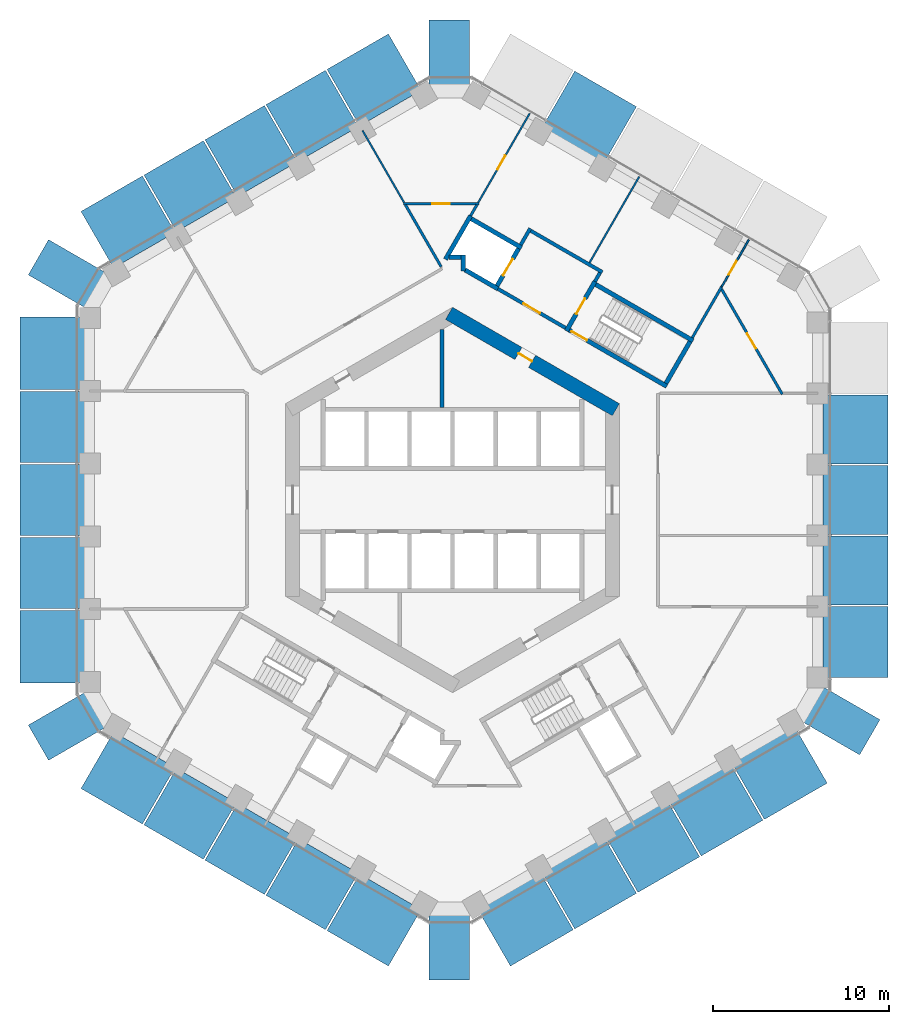
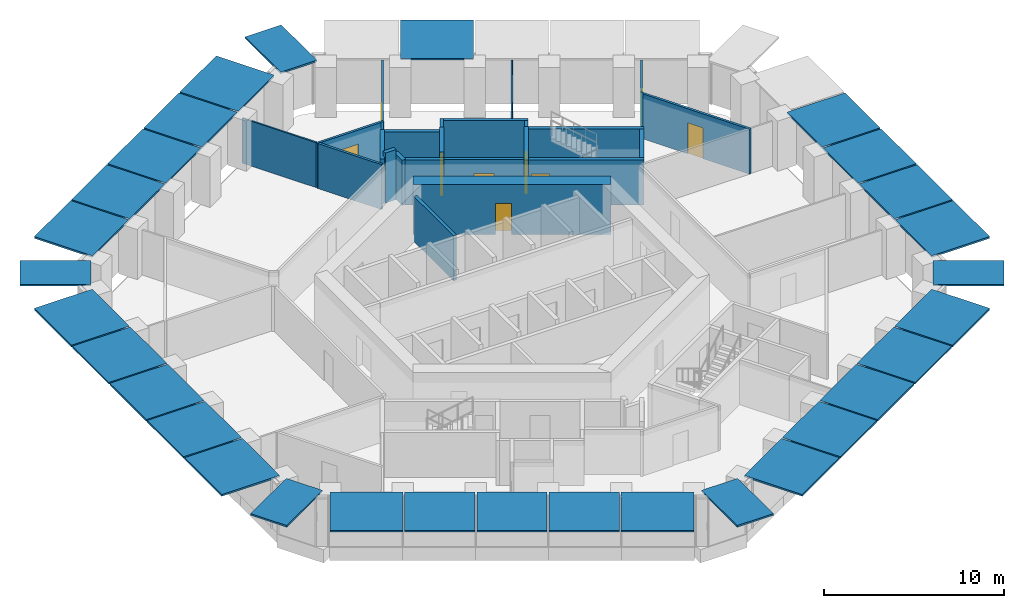
# One storey, part 14 of 19: 30 discrete accessories, 25 walls, 9 doors, 9 openings.
"""IFC4 building model written with IfcOpenShell, lengths in metres."""

from ifc_helpers import new_model, si_unit, direction, frame, frame_2d, origin, origin_2d, place, context, subcontext, project, spatial, rectangle, extrude, material, layer, layer_set, type_object, element, fill, save


model = new_model("IFC4")

# Units and contexts
model_context = context("Model", 3, precision=1e-05, world=origin(), true_north=direction((0.0, 1.0)))
body_context = subcontext(model_context, "Body", "Model", "MODEL_VIEW")
ifc_project = project(units=[si_unit("LENGTHUNIT", "METRE"), si_unit("AREAUNIT", "SQUARE_METRE"), si_unit("VOLUMEUNIT", "CUBIC_METRE"), si_unit("PLANEANGLEUNIT", "RADIAN"), si_unit("MASSUNIT", "GRAM", prefix="KILO")], contexts=[model_context])

# Site, building, storey
site_placement = place(None, origin())
site = spatial("IfcSite", under=ifc_project, at=site_placement, CompositionType="ELEMENT")
building_placement = place(site_placement, origin())
building = spatial("IfcBuilding", under=site, at=building_placement, Name="Ayvan Gate Tower", CompositionType="ELEMENT")
storey_placement = place(building_placement, frame((0.0, 0.0, 32.300048828125)))
storey = spatial("IfcBuildingStorey", under=building, at=storey_placement, Name="L07", CompositionType="ELEMENT", Elevation=32.300048828125)

# Wall, opening, door
ifc_material_1 = material(Name="Concrete C70/85", Category="concrete")
ifc_layer_1 = layer(ifc_material_1, 0.800048828125)
ifc_layer_set_1 = layer_set([ifc_layer_1], Name="Concrete C70/85")
wall_type_1 = type_object("IfcWallType", Name="Core wall 800 C70/85", PredefinedType="SHEAR", material=ifc_layer_set_1)
wall_1_placement = place(storey_placement, frame((9.300048828125, 5.138427734375, 0.0), z_axis=(0.0, 0.0, 1.0), x_axis=(-0.866023993627, 0.500002442456, 0.0)))
wall_1 = element("IfcWall", 1, at=wall_1_placement, inside=storey, type_object=wall_type_1, Name="CORE-L07-1", PredefinedType="SHEAR", context=body_context, shape_type="SweptSolid", body=[
    extrude(rectangle(XDim=10.9697265625, YDim=0.800048828125, at=frame_2d((5.48486328125, 0.0))), origin(), (0.0, 0.0, 1.0), 3.39990234375),
])
opening_1_placement = place(wall_1_placement, frame((5.5087890625, 0.0, 0.0)))
opening_1 = element("IfcOpeningElement", 2, at=opening_1_placement, cuts=wall_1, Name="Opening L07-D31", PredefinedType="OPENING", context=body_context, shape_type="SweptSolid", body=[
    extrude(rectangle(XDim=0.89990234375, YDim=2.10009765625, at=frame_2d((0.449951171875, 1.050048828125))), frame((0.0, 0.409912109375, 0.0), z_axis=(0.0, -1.0, 0.0), x_axis=(1.0, 0.0, 0.0)), (0.0, 0.0, 1.0), 0.820068359375),
])
ifc_material_2 = material(Name="Timber door leaf", Category="wood")
door_type_1 = type_object("IfcDoorType", Name="DT-900", OperationType="NOTDEFINED", PredefinedType="DOOR", material=ifc_material_2)
door_1_placement = place(opening_1_placement, origin())
door_1 = element("IfcDoor", 3, at=door_1_placement, inside=storey, type_object=door_type_1, Name="CD-L07-31", OperationType="SINGLE_SWING_RIGHT", OverallHeight=2.10009765625, OverallWidth=0.89990234375, PredefinedType="DOOR", context=body_context, shape_type="SweptSolid", body=[
    extrude(rectangle(XDim=0.89990234375, YDim=2.10009765625, at=frame_2d((0.449951171875, 1.050048828125))), frame((0.0, 0.02490234375, 0.0), z_axis=(0.0, -1.0, 0.0), x_axis=(1.0, 0.0, 0.0)), (0.0, 0.0, 1.0), 0.050048828125),
])
fill(opening_1, door_1)

ifc_material_3 = material(Name="Plasterboard on steel stud", Category="steel")
ifc_layer_2 = layer(ifc_material_3, 0.14990234375)
ifc_layer_set_2 = layer_set([ifc_layer_2], Name="Plasterboard on steel stud")
wall_type_2 = type_object("IfcWallType", Name="WT-CORR-150", PredefinedType="PARTITIONING", material=ifc_layer_set_2)
wall_2_placement = place(storey_placement, frame((-2.79443359375, 16.867431640625, 0.0), z_axis=(0.0, 0.0, 1.0), x_axis=(1.0, 0.0, 0.0)))
wall_2 = element("IfcWall", 4, at=wall_2_placement, inside=storey, type_object=wall_type_2, Name="IW-L07-041", PredefinedType="PARTITIONING", context=body_context, shape_type="SweptSolid", body=[
    extrude(rectangle(XDim=4.2939453125, YDim=0.14990234375, at=frame_2d((2.14697265625, 0.0))), origin(), (0.0, 0.0, 1.0), 3.050048828125),
])
opening_2_placement = place(wall_2_placement, frame((1.64697265625, 0.0, 0.0)))
opening_2 = element("IfcOpeningElement", 5, at=opening_2_placement, cuts=wall_2, Name="Opening L07-D21", PredefinedType="OPENING", context=body_context, shape_type="SweptSolid", body=[
    extrude(rectangle(XDim=1.0, YDim=2.10009765625, at=frame_2d((0.5, 1.050048828125))), frame((0.0, 0.0849609375, 0.0), z_axis=(0.0, -1.0, 0.0), x_axis=(1.0, 0.0, 0.0)), (0.0, 0.0, 1.0), 0.169921875),
])
door_type_2 = type_object("IfcDoorType", Name="DT-1000", OperationType="NOTDEFINED", PredefinedType="DOOR", material=ifc_material_2)
door_2_placement = place(opening_2_placement, origin())
door_2 = element("IfcDoor", 6, at=door_2_placement, inside=storey, type_object=door_type_2, Name="ID-L07-021", OperationType="SINGLE_SWING_RIGHT", OverallHeight=2.10009765625, OverallWidth=1.0, PredefinedType="DOOR", context=body_context, shape_type="SweptSolid", body=[
    extrude(rectangle(XDim=1.0, YDim=2.10009765625, at=frame_2d((0.5, 1.050048828125))), frame((0.0, 0.02490234375, 0.0), z_axis=(0.0, -1.0, 0.0), x_axis=(1.0, 0.0, 0.0)), (0.0, 0.0, 1.0), 0.050048828125),
])
fill(opening_2, door_2)

# Walls
wall_3_placement = place(storey_placement, frame((-0.6474609375, 13.278564453125, 0.0), z_axis=(0.0, 0.0, 1.0), x_axis=(-0.499978679558, 0.866037712797, 0.0)))
element("IfcWall", 7, at=wall_3_placement, inside=storey, type_object=wall_type_2, Name="IW-L07-048", PredefinedType="PARTITIONING", context=body_context, shape_type="SweptSolid", body=[
    extrude(rectangle(XDim=4.069091796875, YDim=0.14990234375, at=frame_2d((2.03466796875, 0.0))), origin(), (0.0, 0.0, 1.0), 3.050048828125),
])
wall_4_placement = place(storey_placement, frame((1.386962890625, 16.802490234375, 0.0), z_axis=(0.0, 0.0, 1.0), x_axis=(-0.499859449273, -0.866106535579, 0.0)))
element("IfcWall", 8, at=wall_4_placement, inside=storey, type_object=wall_type_2, Name="IW-L07-059", PredefinedType="PARTITIONING", context=body_context, shape_type="SweptSolid", body=[
    extrude(rectangle(XDim=0.719970703125, YDim=0.14990234375, at=frame_2d((0.35986328125, 0.0))), origin(), (0.0, 0.0, 1.0), 3.050048828125),
])
wall_5_placement = place(storey_placement, frame((13.647705078125, 9.23876953125, 0.0), z_axis=(0.0, 0.0, 1.0), x_axis=(0.500013405032, 0.866017664247, 0.0)))
element("IfcWall", 9, at=wall_5_placement, inside=storey, type_object=wall_type_2, Name="IW-L07-097", PredefinedType="PARTITIONING", context=body_context, shape_type="SweptSolid", body=[
    extrude(rectangle(XDim=3.34130859375, YDim=0.14990234375, at=frame_2d((1.670654296875, 0.0))), origin(), (0.0, 0.0, 1.0), 3.050048828125),
])

# Wall, opening, door
wall_6_placement = place(storey_placement, frame((15.318359375, 12.00244140625, 0.0), z_axis=(0.0, 0.0, 1.0), x_axis=(0.500015831195, -0.866016263447, 0.0)))
wall_6 = element("IfcWall", 10, at=wall_6_placement, inside=storey, type_object=wall_type_2, Name="IW-L07-100", PredefinedType="PARTITIONING", context=body_context, shape_type="SweptSolid", body=[
    extrude(rectangle(XDim=6.915283203125, YDim=0.14990234375, at=frame_2d((3.45751953125, 0.0))), origin(), (0.0, 0.0, 1.0), 3.050048828125),
])
opening_3_placement = place(wall_6_placement, frame((2.90283203125, 0.0, 0.0)))
opening_3 = element("IfcOpeningElement", 11, at=opening_3_placement, cuts=wall_6, Name="Opening L07-D19", PredefinedType="OPENING", context=body_context, shape_type="SweptSolid", body=[
    extrude(rectangle(XDim=1.0, YDim=2.10009765625, at=frame_2d((0.5, 1.050048828125))), frame((0.0, 0.0849609375, 0.0), z_axis=(0.0, -1.0, 0.0), x_axis=(1.0, 0.0, 0.0)), (0.0, 0.0, 1.0), 0.169921875),
])
door_3_placement = place(opening_3_placement, origin())
door_3 = element("IfcDoor", 12, at=door_3_placement, inside=storey, type_object=door_type_2, Name="ID-L07-019", OperationType="SINGLE_SWING_RIGHT", OverallHeight=2.10009765625, OverallWidth=1.0, PredefinedType="DOOR", context=body_context, shape_type="SweptSolid", body=[
    extrude(rectangle(XDim=1.0, YDim=2.10009765625, at=frame_2d((0.5, 1.050048828125))), frame((0.0, 0.02490234375, 0.0), z_axis=(0.0, -1.0, 0.0), x_axis=(1.0, 0.0, 0.0)), (0.0, 0.0, 1.0), 0.050048828125),
])
fill(opening_3, door_3)

# Wall
ifc_layer_3 = layer(ifc_material_3, 0.10009765625)
ifc_layer_set_3 = layer_set([ifc_layer_3], Name="Plasterboard on steel stud")
wall_type_3 = type_object("IfcWallType", Name="WT-PART-100", PredefinedType="PARTITIONING", material=ifc_layer_set_3)
wall_7_placement = place(storey_placement, frame((-2.757080078125, 16.932373046875, 0.0), z_axis=(0.0, 0.0, 1.0), x_axis=(-0.499992809434, 0.86602955522, 0.0)))
element("IfcWall", 13, at=wall_7_placement, inside=storey, type_object=wall_type_3, Name="IW-L07-040", PredefinedType="PARTITIONING", context=body_context, shape_type="SweptSolid", body=[
    extrude(rectangle(XDim=4.7421875, YDim=0.10009765625, at=frame_2d((2.37109375, 0.0))), origin(), (0.0, 0.0, 1.0), 3.050048828125),
])

# Wall, opening, door
wall_8_placement = place(storey_placement, frame((4.3955078125, 22.013427734375, 0.0), z_axis=(0.0, 0.0, 1.0), x_axis=(-0.500005810984, -0.866022048785, 0.0)))
wall_8 = element("IfcWall", 14, at=wall_8_placement, inside=storey, type_object=wall_type_3, Name="IW-L07-069", PredefinedType="PARTITIONING", context=body_context, shape_type="SweptSolid", body=[
    extrude(rectangle(XDim=5.8671875, YDim=0.10009765625, at=frame_2d((2.93359375, 0.0))), origin(), (0.0, 0.0, 1.0), 3.050048828125),
])
opening_4_placement = place(wall_8_placement, frame((2.781494140625, 0.0, 0.0)))
opening_4 = element("IfcOpeningElement", 15, at=opening_4_placement, cuts=wall_8, Name="Opening L07-D22", PredefinedType="OPENING", context=body_context, shape_type="SweptSolid", body=[
    extrude(rectangle(XDim=0.89990234375, YDim=2.10009765625, at=frame_2d((0.449951171875, 1.050048828125))), frame((0.0, 0.06005859375, 0.0), z_axis=(0.0, -1.0, 0.0), x_axis=(1.0, 0.0, 0.0)), (0.0, 0.0, 1.0), 0.1201171875),
])
door_4_placement = place(opening_4_placement, origin())
door_4 = element("IfcDoor", 16, at=door_4_placement, inside=storey, type_object=door_type_1, Name="ID-L07-022", OperationType="SINGLE_SWING_LEFT", OverallHeight=2.10009765625, OverallWidth=0.89990234375, PredefinedType="DOOR", context=body_context, shape_type="SweptSolid", body=[
    extrude(rectangle(XDim=0.89990234375, YDim=2.10009765625, at=frame_2d((0.449951171875, 1.050048828125))), frame((0.0, 0.02490234375, 0.0), z_axis=(0.0, -1.0, 0.0), x_axis=(1.0, 0.0, 0.0)), (0.0, 0.0, 1.0), 0.050048828125),
])
fill(opening_4, door_4)

# Wall
wall_9_placement = place(storey_placement, frame((7.800048828125, 13.510009765625, 0.0), z_axis=(0.0, 0.0, 1.0), x_axis=(0.500016079044, 0.866016120345, 0.0)))
element("IfcWall", 17, at=wall_9_placement, inside=storey, type_object=wall_type_3, Name="IW-L07-081", PredefinedType="PARTITIONING", context=body_context, shape_type="SweptSolid", body=[
    extrude(rectangle(XDim=5.661865234375, YDim=0.10009765625, at=frame_2d((2.8310546875, 0.0))), origin(), (0.0, 0.0, 1.0), 3.050048828125),
])

# Wall, opening, door
wall_10_placement = place(storey_placement, frame((15.318359375, 12.13232421875, 0.0), z_axis=(0.0, 0.0, 1.0), x_axis=(0.49997275422, 0.866041133571, 0.0)))
wall_10 = element("IfcWall", 18, at=wall_10_placement, inside=storey, type_object=wall_type_3, Name="IW-L07-099", PredefinedType="PARTITIONING", context=body_context, shape_type="SweptSolid", body=[
    extrude(rectangle(XDim=3.095947265625, YDim=0.10009765625, at=frame_2d((1.5478515625, 0.0))), origin(), (0.0, 0.0, 1.0), 3.050048828125),
])
opening_5_placement = place(wall_10_placement, frame((0.7998046875, 0.0, 0.0)))
opening_5 = element("IfcOpeningElement", 19, at=opening_5_placement, cuts=wall_10, Name="Opening L07-D20", PredefinedType="OPENING", context=body_context, shape_type="SweptSolid", body=[
    extrude(rectangle(XDim=0.89990234375, YDim=2.10009765625, at=frame_2d((0.449951171875, 1.050048828125))), frame((0.0, 0.06005859375, 0.0), z_axis=(0.0, -1.0, 0.0), x_axis=(1.0, 0.0, 0.0)), (0.0, 0.0, 1.0), 0.1201171875),
])
door_5_placement = place(opening_5_placement, origin())
door_5 = element("IfcDoor", 20, at=door_5_placement, inside=storey, type_object=door_type_1, Name="ID-L07-020", OperationType="SINGLE_SWING_LEFT", OverallHeight=2.10009765625, OverallWidth=0.89990234375, PredefinedType="DOOR", context=body_context, shape_type="SweptSolid", body=[
    extrude(rectangle(XDim=0.89990234375, YDim=2.10009765625, at=frame_2d((0.449951171875, 1.050048828125))), frame((0.0, 0.02490234375, 0.0), z_axis=(0.0, -1.0, 0.0), x_axis=(1.0, 0.0, 0.0)), (0.0, 0.0, 1.0), 0.050048828125),
])
fill(opening_5, door_5)

# Walls
ifc_layer_4 = layer(ifc_material_3, 0.199951171875)
ifc_layer_set_4 = layer_set([ifc_layer_4], Name="Plasterboard on steel stud")
wall_type_4 = type_object("IfcWallType", Name="WT-RATED-200", PredefinedType="PARTITIONING", material=ifc_layer_set_4)
wall_11_placement = place(storey_placement, frame((-0.60009765625, 9.699462890625, 0.0), z_axis=(0.0, 0.0, 1.0), x_axis=(0.0, -1.0, 0.0)))
element("IfcWall", 21, at=wall_11_placement, inside=storey, type_object=wall_type_4, Name="IW-L07-051", PredefinedType="PARTITIONING", context=body_context, shape_type="SweptSolid", body=[
    extrude(rectangle(XDim=4.424560546875, YDim=0.199951171875, at=frame_2d((2.21240234375, 0.0))), origin(), (0.0, 0.0, 1.0), 3.050048828125),
])
wall_12_placement = place(storey_placement, frame((3.885009765625, 14.52880859375, 0.0), z_axis=(0.0, 0.0, 1.0), x_axis=(0.499997628298, 0.866026773083, 0.0)))
element("IfcWall", 22, at=wall_12_placement, inside=storey, type_object=wall_type_4, Name="IW-L07-067", PredefinedType="PARTITIONING", context=body_context, shape_type="SweptSolid", body=[
    extrude(rectangle(XDim=1.0751953125, YDim=0.199951171875, at=frame_2d((0.53759765625, 0.0))), origin(), (0.0, 0.0, 1.0), 3.050048828125),
])
wall_13_placement = place(storey_placement, frame((4.458984375, 15.323486328125, 0.0), z_axis=(0.0, 0.0, 1.0), x_axis=(0.866016039709, -0.500016218704, 0.0)))
element("IfcWall", 23, at=wall_13_placement, inside=storey, type_object=wall_type_4, Name="IW-L07-070", PredefinedType="PARTITIONING", context=body_context, shape_type="SweptSolid", body=[
    extrude(rectangle(XDim=4.699951171875, YDim=0.199951171875, at=frame_2d((2.35009765625, 0.0))), origin(), (0.0, 0.0, 1.0), 3.050048828125),
])

# Wall, opening, door
wall_14_placement = place(storey_placement, frame((6.4345703125, 9.794921875, 0.0), z_axis=(0.0, 0.0, 1.0), x_axis=(-0.866012907634, 0.500021643343, 0.0)))
wall_14 = element("IfcWall", 24, at=wall_14_placement, inside=storey, type_object=wall_type_4, Name="IW-L07-073", PredefinedType="PARTITIONING", context=body_context, shape_type="SweptSolid", body=[
    extrude(rectangle(XDim=4.449951171875, YDim=0.199951171875, at=frame_2d((2.22509765625, 0.0))), origin(), (0.0, 0.0, 1.0), 3.050048828125),
])
opening_6_placement = place(wall_14_placement, frame((1.675048828125, 0.0, 0.0)))
opening_6 = element("IfcOpeningElement", 25, at=opening_6_placement, cuts=wall_14, Name="Opening L07-D08", PredefinedType="OPENING", context=body_context, shape_type="SweptSolid", body=[
    extrude(rectangle(XDim=1.10009765625, YDim=2.10009765625, at=frame_2d((0.550048828125, 1.050048828125))), frame((0.0, 0.10986328125, 0.0), z_axis=(0.0, -1.0, 0.0), x_axis=(1.0, 0.0, 0.0)), (0.0, 0.0, 1.0), 0.219970703125),
])
door_type_3 = type_object("IfcDoorType", Name="DT-1100", OperationType="NOTDEFINED", PredefinedType="DOOR", material=ifc_material_2)
door_6_placement = place(opening_6_placement, origin())
door_6 = element("IfcDoor", 26, at=door_6_placement, inside=storey, type_object=door_type_3, Name="ID-L07-008", OperationType="SINGLE_SWING_LEFT", OverallHeight=2.10009765625, OverallWidth=1.10009765625, PredefinedType="DOOR", context=body_context, shape_type="SweptSolid", body=[
    extrude(rectangle(XDim=1.10009765625, YDim=2.10009765625, at=frame_2d((0.550048828125, 1.050048828125))), frame((0.0, 0.02490234375, 0.0), z_axis=(0.0, -1.0, 0.0), x_axis=(1.0, 0.0, 0.0)), (0.0, 0.0, 1.0), 0.050048828125),
])
fill(opening_6, door_6)

# Walls
wall_15_placement = place(storey_placement, frame((8.392822265625, 12.936767578125, 0.0), z_axis=(0.0, 0.0, 1.0), x_axis=(-0.500065409566, -0.86598763626, 0.0)))
element("IfcWall", 27, at=wall_15_placement, inside=storey, type_object=wall_type_4, Name="IW-L07-083", PredefinedType="PARTITIONING", context=body_context, shape_type="SweptSolid", body=[
    extrude(rectangle(XDim=0.5751953125, YDim=0.199951171875, at=frame_2d((0.28759765625, 0.0))), origin(), (0.0, 0.0, 1.0), 3.050048828125),
])
ifc_material_4 = material(Name="Concrete C50/60", Category="concrete")
ifc_layer_5 = layer(ifc_material_4, 0.25)
ifc_layer_set_5 = layer_set([ifc_layer_5], Name="Concrete C50/60")
wall_type_5 = type_object("IfcWallType", Name="WT-RC-250", PredefinedType="SHEAR", material=ifc_layer_set_5)
wall_16_placement = place(storey_placement, frame((-0.403076171875, 13.70166015625, 0.0), z_axis=(0.0, 0.0, 1.0), x_axis=(0.499976111731, 0.866039195244, 0.0)))
element("IfcWall", 28, at=wall_16_placement, inside=storey, type_object=wall_type_5, Name="IW-L07-052", PredefinedType="SHEAR", context=body_context, shape_type="SweptSolid", body=[
    extrude(rectangle(XDim=2.860595703125, YDim=0.25, at=frame_2d((1.43017578125, 0.0))), origin(), (0.0, 0.0, 1.0), 3.050048828125),
])
wall_17_placement = place(storey_placement, frame((0.60009765625, 13.03857421875, 0.0), z_axis=(0.0, 0.0, 1.0), x_axis=(0.0, 1.0, 0.0)))
element("IfcWall", 29, at=wall_17_placement, inside=storey, type_object=wall_type_5, Name="IW-L07-056", PredefinedType="SHEAR", context=body_context, shape_type="SweptSolid", body=[
    extrude(rectangle(XDim=0.896484375, YDim=0.25, at=frame_2d((0.4482421875, 0.0))), origin(), (0.0, 0.0, 1.0), 3.050048828125),
])
wall_18_placement = place(storey_placement, frame((0.47509765625, 13.81005859375, 0.0), z_axis=(0.0, 0.0, 1.0), x_axis=(-1.0, 0.0, 0.0)))
element("IfcWall", 30, at=wall_18_placement, inside=storey, type_object=wall_type_5, Name="IW-L07-057", PredefinedType="SHEAR", context=body_context, shape_type="SweptSolid", body=[
    extrude(rectangle(XDim=0.690673828125, YDim=0.25, at=frame_2d((0.34521484375, 0.0))), origin(), (0.0, 0.0, 1.0), 3.39990234375),
])
wall_19_placement = place(storey_placement, frame((1.072998046875, 16.00830078125, 0.0), z_axis=(0.0, 0.0, 1.0), x_axis=(0.866040211805, -0.499974350878, 0.0)))
element("IfcWall", 31, at=wall_19_placement, inside=storey, type_object=wall_type_5, Name="IW-L07-058", PredefinedType="SHEAR", context=body_context, shape_type="SweptSolid", body=[
    extrude(rectangle(XDim=3.300048828125, YDim=0.25, at=frame_2d((1.64990234375, 0.0))), origin(), (0.0, 0.0, 1.0), 3.050048828125),
])
wall_20_placement = place(storey_placement, frame((2.580810546875, 12.02001953125, 0.0), z_axis=(0.0, 0.0, 1.0), x_axis=(-0.86603892542, 0.499976579108, 0.0)))
element("IfcWall", 32, at=wall_20_placement, inside=storey, type_object=wall_type_5, Name="IW-L07-063", PredefinedType="SHEAR", context=body_context, shape_type="SweptSolid", body=[
    extrude(rectangle(XDim=2.162109375, YDim=0.25, at=frame_2d((1.0810546875, 0.0))), origin(), (0.0, 0.0, 1.0), 3.050048828125),
])

# Wall, opening, door
wall_21_placement = place(storey_placement, frame((2.534912109375, 12.19091796875, 0.0), z_axis=(0.0, 0.0, 1.0), x_axis=(0.500061746146, 0.865989751695, 0.0)))
wall_21 = element("IfcWall", 33, at=wall_21_placement, inside=storey, type_object=wall_type_5, Name="IW-L07-064", PredefinedType="SHEAR", context=body_context, shape_type="SweptSolid", body=[
    extrude(rectangle(XDim=2.449951171875, YDim=0.25, at=frame_2d((1.22509765625, 0.0))), origin(), (0.0, 0.0, 1.0), 3.39990234375),
])
opening_7_placement = place(wall_21_placement, frame((0.675048828125, 0.0, 0.0)))
opening_7 = element("IfcOpeningElement", 34, at=opening_7_placement, cuts=wall_21, Name="Opening L07-LD-FF1", PredefinedType="OPENING", context=body_context, shape_type="SweptSolid", body=[
    extrude(rectangle(XDim=1.10009765625, YDim=2.10009765625, at=frame_2d((0.550048828125, 1.050048828125))), frame((0.0, 0.135009765625, 0.0), z_axis=(0.0, -1.0, 0.0), x_axis=(1.0, 0.0, 0.0)), (0.0, 0.0, 1.0), 0.27001953125),
])
ifc_material_5 = material(Name="Stainless steel landing door", Category="steel")
door_type_4 = type_object("IfcDoorType", Name="DT-LANDING-1100", OperationType="SLIDING_TO_LEFT", PredefinedType="DOOR", material=ifc_material_5)
door_7_placement = place(opening_7_placement, origin())
door_7 = element("IfcDoor", 35, at=door_7_placement, inside=storey, type_object=door_type_4, Name="ID-L07-009", OperationType="SLIDING_TO_LEFT", OverallHeight=2.10009765625, OverallWidth=1.10009765625, PredefinedType="DOOR", context=body_context, shape_type="SweptSolid", body=[
    extrude(rectangle(XDim=1.10009765625, YDim=2.10009765625, at=frame_2d((0.550048828125, 1.050048828125))), frame((0.0, 0.02490234375, 0.0), z_axis=(0.0, -1.0, 0.0), x_axis=(1.0, 0.0, 0.0)), (0.0, 0.0, 1.0), 0.050048828125),
])
fill(opening_7, door_7)

wall_22_placement = place(storey_placement, frame((6.480224609375, 9.624267578125, 0.0), z_axis=(0.0, 0.0, 1.0), x_axis=(0.500017246033, 0.866015446554, 0.0)))
wall_22 = element("IfcWall", 36, at=wall_22_placement, inside=storey, type_object=wall_type_5, Name="IW-L07-074", PredefinedType="SHEAR", context=body_context, shape_type="SweptSolid", body=[
    extrude(rectangle(XDim=3.25, YDim=0.25, at=frame_2d((1.625, 0.0))), origin(), (0.0, 0.0, 1.0), 3.050048828125),
])
opening_8_placement = place(wall_22_placement, frame((1.125, 0.0, 0.0)))
opening_8 = element("IfcOpeningElement", 37, at=opening_8_placement, cuts=wall_22, Name="Opening L07-D07", PredefinedType="OPENING", context=body_context, shape_type="SweptSolid", body=[
    extrude(rectangle(XDim=1.0, YDim=2.10009765625, at=frame_2d((0.5, 1.050048828125))), frame((0.0, 0.135009765625, 0.0), z_axis=(0.0, -1.0, 0.0), x_axis=(1.0, 0.0, 0.0)), (0.0, 0.0, 1.0), 0.27001953125),
])
door_8_placement = place(opening_8_placement, origin())
door_8 = element("IfcDoor", 38, at=door_8_placement, inside=storey, type_object=door_type_2, Name="ID-L07-007", OperationType="SINGLE_SWING_RIGHT", OverallHeight=2.10009765625, OverallWidth=1.0, PredefinedType="DOOR", context=body_context, shape_type="SweptSolid", body=[
    extrude(rectangle(XDim=1.0, YDim=2.10009765625, at=frame_2d((0.5, 1.050048828125))), frame((0.0, 0.02490234375, 0.0), z_axis=(0.0, -1.0, 0.0), x_axis=(1.0, 0.0, 0.0)), (0.0, 0.0, 1.0), 0.050048828125),
])
fill(opening_8, door_8)

# Wall
wall_23_placement = place(storey_placement, frame((8.151123046875, 12.26806640625, 0.0), z_axis=(0.0, 0.0, 1.0), x_axis=(0.866025499775, -0.499999833739, 0.0)))
element("IfcWall", 39, at=wall_23_placement, inside=storey, type_object=wall_type_5, Name="IW-L07-082", PredefinedType="SHEAR", context=body_context, shape_type="SweptSolid", body=[
    extrude(rectangle(XDim=6.39990234375, YDim=0.25, at=frame_2d((3.199951171875, 0.0))), origin(), (0.0, 0.0, 1.0), 3.050048828125),
])

# Wall, opening, door
wall_24_placement = place(storey_placement, frame((12.193603515625, 6.469970703125, 0.0), z_axis=(0.0, 0.0, 1.0), x_axis=(-0.866025499775, 0.499999833739, 0.0)))
wall_24 = element("IfcWall", 40, at=wall_24_placement, inside=storey, type_object=wall_type_5, Name="IW-L07-095", PredefinedType="SHEAR", context=body_context, shape_type="SweptSolid", body=[
    extrude(rectangle(XDim=6.39990234375, YDim=0.25, at=frame_2d((3.199951171875, 0.0))), origin(), (0.0, 0.0, 1.0), 3.050048828125),
])
opening_9_placement = place(wall_24_placement, frame((5.25, 0.0, 0.0)))
opening_9 = element("IfcOpeningElement", 41, at=opening_9_placement, cuts=wall_24, Name="Opening L07-D06", PredefinedType="OPENING", context=body_context, shape_type="SweptSolid", body=[
    extrude(rectangle(XDim=1.0, YDim=2.10009765625, at=frame_2d((0.5, 1.050048828125))), frame((0.0, 0.135009765625, 0.0), z_axis=(0.0, -1.0, 0.0), x_axis=(1.0, 0.0, 0.0)), (0.0, 0.0, 1.0), 0.27001953125),
])
door_9_placement = place(opening_9_placement, origin())
door_9 = element("IfcDoor", 42, at=door_9_placement, inside=storey, type_object=door_type_2, Name="ID-L07-006", OperationType="SINGLE_SWING_LEFT", OverallHeight=2.10009765625, OverallWidth=1.0, PredefinedType="DOOR", context=body_context, shape_type="SweptSolid", body=[
    extrude(rectangle(XDim=1.0, YDim=2.10009765625, at=frame_2d((0.5, 1.050048828125))), frame((0.0, 0.02490234375, 0.0), z_axis=(0.0, -1.0, 0.0), x_axis=(1.0, 0.0, 0.0)), (0.0, 0.0, 1.0), 0.050048828125),
])
fill(opening_9, door_9)

# Wall
wall_25_placement = place(storey_placement, frame((13.52294921875, 9.022216796875, 0.0), z_axis=(0.0, 0.0, 1.0), x_axis=(-0.500034990121, -0.866005201286, 0.0)))
element("IfcWall", 43, at=wall_25_placement, inside=storey, type_object=wall_type_5, Name="IW-L07-098", PredefinedType="SHEAR", context=body_context, shape_type="SweptSolid", body=[
    extrude(rectangle(XDim=2.749755859375, YDim=0.25, at=frame_2d((1.375, 0.0))), origin(), (0.0, 0.0, 1.0), 3.050048828125),
])

# Discrete accessories
ifc_material_6 = material(Name="Stainless steel 316", Category="steel")
ifc_layer_6 = layer(ifc_material_6, 0.1201171875)
ifc_layer_set_6 = layer_set([ifc_layer_6], Name="Stainless steel 316")
discrete_accessory_type = type_object("IfcDiscreteAccessoryType", Name="Fin carrier bracket", PredefinedType="BRACKET", material=ifc_layer_set_6)
discrete_accessory_1_placement = place(storey_placement, frame((-22.765625, -8.347900390625, 3.27978515625), z_axis=(0.0, 0.0, 1.0), x_axis=(0.0, -1.0, 0.0)))
element("IfcDiscreteAccessory", 44, at=discrete_accessory_1_placement, inside=storey, type_object=discrete_accessory_type, Name="Fin carrier 2", PredefinedType="BRACKET", context=body_context, shape_type="SweptSolid", body=[
    extrude(rectangle(XDim=4.1298828125, YDim=3.718017578125, at=origin_2d()), origin(), (0.0, 0.0, 1.0), 0.1201171875),
])
discrete_accessory_2_placement = place(storey_placement, frame((-22.765625, -4.155029296875, 3.27978515625), z_axis=(0.0, 0.0, 1.0), x_axis=(0.0, -1.0, 0.0)))
element("IfcDiscreteAccessory", 45, at=discrete_accessory_2_placement, inside=storey, type_object=discrete_accessory_type, Name="Fin carrier 4", PredefinedType="BRACKET", context=body_context, shape_type="SweptSolid", body=[
    extrude(rectangle(XDim=4.055908203125, YDim=3.718017578125, at=origin_2d()), origin(), (0.0, 0.0, 1.0), 0.1201171875),
])
for number, where, z_axis, x_axis, name in (
    (46, (-22.765625, 0.00048828125, 3.27978515625), (0.0, 0.0, 1.0), (0.0, -1.0, 0.0), "Fin carrier 6"),
    (47, (-22.765625, 4.155517578125, 3.27978515625), (0.0, 0.0, 1.0), (0.0, -1.0, 0.0), "Fin carrier 8"),
):
    element("IfcDiscreteAccessory", number, at=place(storey_placement, frame(where, z_axis=z_axis, x_axis=x_axis)), inside=storey, type_object=discrete_accessory_type, Name=name, PredefinedType="BRACKET", context=body_context, shape_type="SweptSolid", body=[
        extrude(rectangle(XDim=4.054931640625, YDim=3.718017578125, at=origin_2d()), origin(), (0.0, 0.0, 1.0), 0.1201171875),
    ])
discrete_accessory_3_placement = place(storey_placement, frame((-22.765625, 8.347900390625, 3.27978515625), z_axis=(0.0, 0.0, 1.0), x_axis=(0.0, -1.0, 0.0)))
element("IfcDiscreteAccessory", 48, at=discrete_accessory_3_placement, inside=storey, type_object=discrete_accessory_type, Name="Fin carrier 10", PredefinedType="BRACKET", context=body_context, shape_type="SweptSolid", body=[
    extrude(rectangle(XDim=4.1298828125, YDim=3.718017578125, at=origin_2d()), origin(), (0.0, 0.0, 1.0), 0.1201171875),
])
for number, where, z_axis, x_axis, name in (
    (49, (-21.866455078125, -12.830078125, 3.27978515625), (0.0, 0.0, 1.0), (0.5, -0.866025403784, 0.0), "Fin carrier 35"),
    (50, (-21.866455078125, 12.830078125, 3.27978515625), (0.0, 0.0, 1.0), (-0.5, -0.866025403784, 0.0), "Fin carrier 36"),
):
    element("IfcDiscreteAccessory", number, at=place(storey_placement, frame(where, z_axis=z_axis, x_axis=x_axis)), inside=storey, type_object=discrete_accessory_type, Name=name, PredefinedType="BRACKET", context=body_context, shape_type="SweptSolid", body=[
        extrude(rectangle(XDim=2.314453125, YDim=3.94921875, at=origin_2d()), origin(), (0.0, 0.0, 1.0), 0.1201171875),
    ])
for number, where, z_axis, x_axis, name in (
    (51, (-18.47412109375, -15.826904296875, 3.27978515625), (0.0, 0.0, 1.0), (0.866025403784, -0.5, 0.0), "Fin carrier 134"),
    (52, (-18.47412109375, 15.826904296875, 3.27978515625), (0.0, 0.0, 1.0), (-0.866025403784, -0.5, 0.0), "Fin carrier 144"),
):
    element("IfcDiscreteAccessory", number, at=place(storey_placement, frame(where, z_axis=z_axis, x_axis=x_axis)), inside=storey, type_object=discrete_accessory_type, Name=name, PredefinedType="BRACKET", context=body_context, shape_type="SweptSolid", body=[
        extrude(rectangle(XDim=4.0380859375, YDim=3.718017578125, at=origin_2d()), origin(), (0.0, 0.0, 1.0), 0.1201171875),
    ])
for number, where, z_axis, x_axis, name in (
    (53, (-14.945556640625, -17.8642578125, 3.27978515625), (0.0, 0.0, 1.0), (0.866025403784, -0.5, 0.0), "Fin carrier 254"),
    (54, (-14.9453125, 17.8642578125, 3.27978515625), (0.0, 0.0, 1.0), (-0.866025403784, -0.5, 0.0), "Fin carrier 260"),
    (55, (-11.471923828125, -19.869873046875, 3.27978515625), (0.0, 0.0, 1.0), (0.866025403784, -0.5, 0.0), "Fin carrier 316"),
    (56, (-11.471923828125, 19.869873046875, 3.27978515625), (0.0, 0.0, 1.0), (-0.866025403784, -0.5, 0.0), "Fin carrier 322"),
    (57, (-7.998291015625, -21.875244140625, 3.27978515625), (0.0, 0.0, 1.0), (0.866025403784, -0.5, 0.0), "Fin carrier 377"),
    (58, (-7.998291015625, 21.875244140625, 3.27978515625), (0.0, 0.0, 1.0), (-0.866025403784, -0.5, 0.0), "Fin carrier 382"),
):
    element("IfcDiscreteAccessory", number, at=place(storey_placement, frame(where, z_axis=z_axis, x_axis=x_axis)), inside=storey, type_object=discrete_accessory_type, Name=name, PredefinedType="BRACKET", context=body_context, shape_type="SweptSolid", body=[
        extrude(rectangle(XDim=3.910888671875, YDim=3.718017578125, at=origin_2d()), origin(), (0.0, 0.0, 1.0), 0.1201171875),
    ])
for number, where, z_axis, x_axis, name in (
    (59, (-4.469482421875, -23.91259765625, 3.27978515625), (0.0, 0.0, 1.0), (0.866025403784, -0.5, 0.0), "Fin carrier 464"),
    (60, (-4.469482421875, 23.91259765625, 3.27978515625), (0.0, 0.0, 1.0), (-0.866025403784, -0.5, 0.0), "Fin carrier 480"),
):
    element("IfcDiscreteAccessory", number, at=place(storey_placement, frame(where, z_axis=z_axis, x_axis=x_axis)), inside=storey, type_object=discrete_accessory_type, Name=name, PredefinedType="BRACKET", context=body_context, shape_type="SweptSolid", body=[
        extrude(rectangle(XDim=4.0380859375, YDim=3.718017578125, at=origin_2d()), origin(), (0.0, 0.0, 1.0), 0.1201171875),
    ])
for number, where, z_axis, x_axis, name in (
    (61, (-0.177978515625, -25.351806640625, 3.27978515625), (0.0, 0.0, 1.0), (1.0, 0.0, 0.0), "Fin carrier 526"),
    (62, (-0.177978515625, 25.351806640625, 3.27978515625), (0.0, 0.0, 1.0), (-1.0, 0.0, 0.0), "Fin carrier 540"),
):
    element("IfcDiscreteAccessory", number, at=place(storey_placement, frame(where, z_axis=z_axis, x_axis=x_axis)), inside=storey, type_object=discrete_accessory_type, Name=name, PredefinedType="BRACKET", context=body_context, shape_type="SweptSolid", body=[
        extrude(rectangle(XDim=2.314453125, YDim=3.94921875, at=origin_2d()), origin(), (0.0, 0.0, 1.0), 0.1201171875),
    ])
discrete_accessory_4_placement = place(storey_placement, frame((4.1533203125, -23.8896484375, 3.27978515625), z_axis=(0.0, 0.0, 1.0), x_axis=(0.866025403784, 0.5, 0.0)))
element("IfcDiscreteAccessory", 63, at=discrete_accessory_4_placement, inside=storey, type_object=discrete_accessory_type, Name="Fin carrier 590", PredefinedType="BRACKET", context=body_context, shape_type="SweptSolid", body=[
    extrude(rectangle(XDim=4.1298828125, YDim=3.718017578125, at=origin_2d()), origin(), (0.0, 0.0, 1.0), 0.1201171875),
])
discrete_accessory_5_placement = place(storey_placement, frame((7.7841796875, -21.793212890625, 3.27978515625), z_axis=(0.0, 0.0, 1.0), x_axis=(0.866025403784, 0.5, 0.0)))
element("IfcDiscreteAccessory", 64, at=discrete_accessory_5_placement, inside=storey, type_object=discrete_accessory_type, Name="Fin carrier 652", PredefinedType="BRACKET", context=body_context, shape_type="SweptSolid", body=[
    extrude(rectangle(XDim=4.054931640625, YDim=3.718017578125, at=origin_2d()), origin(), (0.0, 0.0, 1.0), 0.1201171875),
])
discrete_accessory_6_placement = place(storey_placement, frame((7.784423828125, 21.793212890625, 3.27978515625), z_axis=(0.0, 0.0, 1.0), x_axis=(-0.866025403784, 0.5, 0.0)))
element("IfcDiscreteAccessory", 65, at=discrete_accessory_6_placement, inside=storey, type_object=discrete_accessory_type, Name="Fin carrier 658", PredefinedType="BRACKET", context=body_context, shape_type="SweptSolid", body=[
    extrude(rectangle(XDim=4.055908203125, YDim=3.718017578125, at=origin_2d()), origin(), (0.0, 0.0, 1.0), 0.1201171875),
])
discrete_accessory_7_placement = place(storey_placement, frame((11.382568359375, -19.7158203125, 3.27978515625), z_axis=(0.0, 0.0, 1.0), x_axis=(0.866025403784, 0.5, 0.0)))
element("IfcDiscreteAccessory", 66, at=discrete_accessory_7_placement, inside=storey, type_object=discrete_accessory_type, Name="Fin carrier 712", PredefinedType="BRACKET", context=body_context, shape_type="SweptSolid", body=[
    extrude(rectangle(XDim=4.054931640625, YDim=3.718017578125, at=origin_2d()), origin(), (0.0, 0.0, 1.0), 0.1201171875),
])
discrete_accessory_8_placement = place(storey_placement, frame((14.981201171875, -17.637939453125, 3.27978515625), z_axis=(0.0, 0.0, 1.0), x_axis=(0.866025403784, 0.5, 0.0)))
element("IfcDiscreteAccessory", 67, at=discrete_accessory_8_placement, inside=storey, type_object=discrete_accessory_type, Name="Fin carrier 778", PredefinedType="BRACKET", context=body_context, shape_type="SweptSolid", body=[
    extrude(rectangle(XDim=4.055908203125, YDim=3.718017578125, at=origin_2d()), origin(), (0.0, 0.0, 1.0), 0.1201171875),
])
discrete_accessory_9_placement = place(storey_placement, frame((18.6123046875, -15.54150390625, 3.27978515625), z_axis=(0.0, 0.0, 1.0), x_axis=(0.866025403784, 0.5, 0.0)))
element("IfcDiscreteAccessory", 68, at=discrete_accessory_9_placement, inside=storey, type_object=discrete_accessory_type, Name="Fin carrier 891", PredefinedType="BRACKET", context=body_context, shape_type="SweptSolid", body=[
    extrude(rectangle(XDim=4.1298828125, YDim=3.718017578125, at=origin_2d()), origin(), (0.0, 0.0, 1.0), 0.1201171875),
])
discrete_accessory_10_placement = place(storey_placement, frame((22.04443359375, -12.521728515625, 3.27978515625), z_axis=(0.0, 0.0, 1.0), x_axis=(0.5, 0.866025403784, 0.0)))
element("IfcDiscreteAccessory", 69, at=discrete_accessory_10_placement, inside=storey, type_object=discrete_accessory_type, Name="Fin carrier 990", PredefinedType="BRACKET", context=body_context, shape_type="SweptSolid", body=[
    extrude(rectangle(XDim=2.314453125, YDim=3.94921875, at=origin_2d()), origin(), (0.0, 0.0, 1.0), 0.1201171875),
])
discrete_accessory_11_placement = place(storey_placement, frame((22.943603515625, -8.08544921875, 3.27978515625), z_axis=(0.0, 0.0, 1.0), x_axis=(0.0, 1.0, 0.0)))
element("IfcDiscreteAccessory", 70, at=discrete_accessory_11_placement, inside=storey, type_object=discrete_accessory_type, Name="Fin carrier 1000", PredefinedType="BRACKET", context=body_context, shape_type="SweptSolid", body=[
    extrude(rectangle(XDim=4.0380859375, YDim=3.718017578125, at=origin_2d()), origin(), (0.0, 0.0, 1.0), 0.1201171875),
])
for number, where, z_axis, x_axis, name in (
    (71, (22.943603515625, -4.010986328125, 3.27978515625), (0.0, 0.0, 1.0), (0.0, 1.0, 0.0), "Fin carrier 1006"),
    (72, (22.943603515625, 0.0, 3.27978515625), (0.0, 0.0, 1.0), (0.0, 1.0, 0.0), "Fin carrier 1012"),
    (73, (22.943603515625, 4.010986328125, 3.27978515625), (0.0, 0.0, 1.0), (0.0, 1.0, 0.0), "Fin carrier 1019"),
):
    element("IfcDiscreteAccessory", number, at=place(storey_placement, frame(where, z_axis=z_axis, x_axis=x_axis)), inside=storey, type_object=discrete_accessory_type, Name=name, PredefinedType="BRACKET", context=body_context, shape_type="SweptSolid", body=[
        extrude(rectangle(XDim=3.910888671875, YDim=3.718017578125, at=origin_2d()), origin(), (0.0, 0.0, 1.0), 0.1201171875),
    ])

save(model, "model.ifc")
